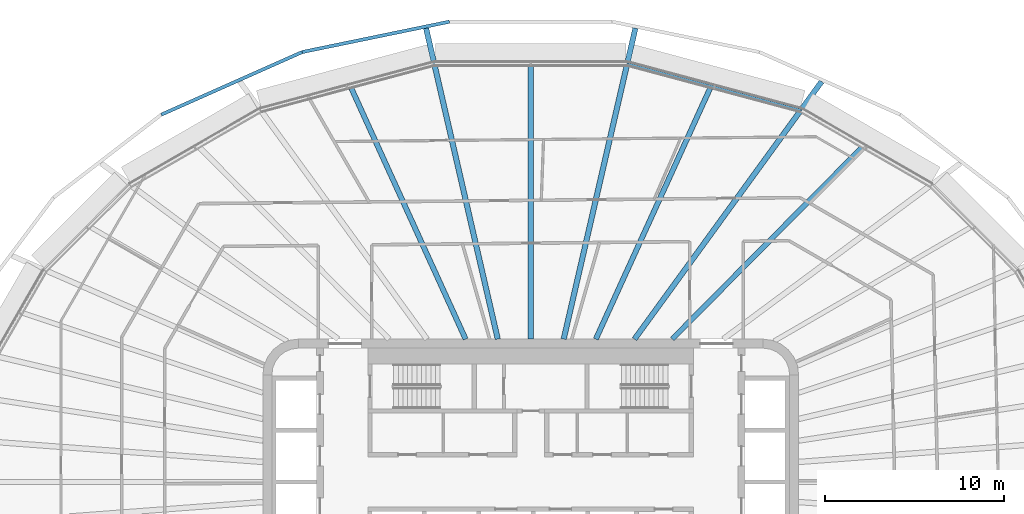
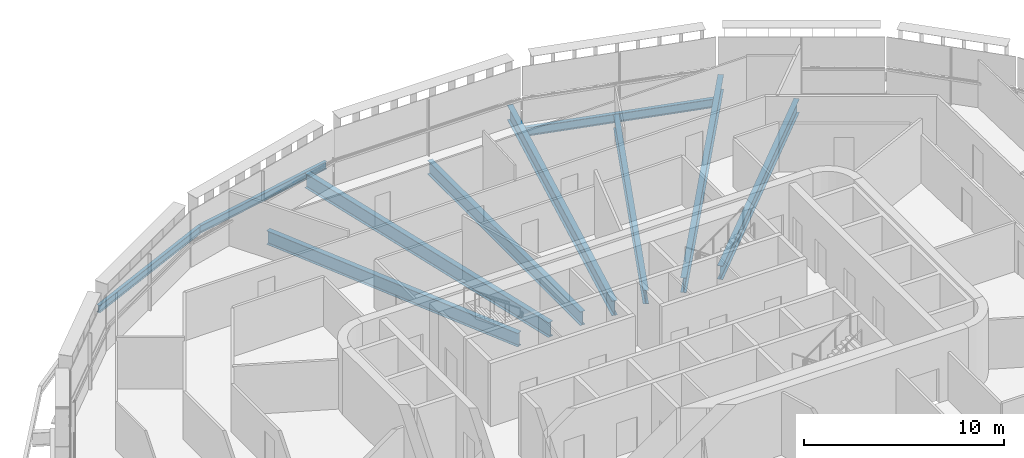
# One storey, part 6 of 23: 10 beams.
"""IFC4 building model written with IfcOpenShell, lengths in metres."""

from ifc_helpers import new_model, si_unit, direction, frame, origin, origin_2d, place, context, subcontext, project, spatial, i_section, extrude, material, material_profile, profile_set, type_object, element, save


model = new_model("IFC4")

# Units and contexts
model_context = context("Model", 3, precision=1e-05, world=origin(), true_north=direction((0.0, 1.0)))
body_context = subcontext(model_context, "Body", "Model", "MODEL_VIEW")
ifc_project = project(units=[si_unit("LENGTHUNIT", "METRE"), si_unit("AREAUNIT", "SQUARE_METRE"), si_unit("VOLUMEUNIT", "CUBIC_METRE"), si_unit("PLANEANGLEUNIT", "RADIAN"), si_unit("MASSUNIT", "GRAM", prefix="KILO")], contexts=[model_context])

# Site, building, storey
site_placement = place(None, origin())
site = spatial("IfcSite", under=ifc_project, at=site_placement, CompositionType="ELEMENT")
building_placement = place(site_placement, origin())
building = spatial("IfcBuilding", under=site, at=building_placement, Name="Sahrelin Media Tower", CompositionType="ELEMENT")
storey_placement = place(building_placement, frame((0.0, 0.0, 157.60009765625)))
storey = spatial("IfcBuildingStorey", under=building, at=storey_placement, Name="L32", CompositionType="ELEMENT", Elevation=157.60009765625)

# Beams
ifc_material = material(Name="Steel S355", Category="steel")
ifc_material_profile_1 = material_profile(ifc_material, i_section(OverallWidth=0.208740234375, OverallDepth=0.5283203125, WebThickness=0.009521484375, FlangeThickness=0.01318359375, FilletRadius=0.0126953125, at=origin_2d()), Name="UB 533x210x82")
ifc_profile_set_1 = profile_set([ifc_material_profile_1], Name="Steel S355")
beam_type_1 = type_object("IfcBeamType", Name="Edge beam EB6", PredefinedType="BEAM", material=ifc_profile_set_1)
beam_1_placement = place(storey_placement, frame((5.422607421875, 23.378662109375, -0.414306640625), z_axis=(0.965924398273, -0.258824374473, 0.0), x_axis=(0.258824374473, 0.965924398273, 0.0)))
element("IfcBeam", 1, at=beam_1_placement, inside=storey, type_object=beam_type_1, Name="Edge beam L32-20", PredefinedType="BEAM", context=body_context, shape_type="SweptSolid", body=[
    extrude(i_section(OverallWidth=0.208740234375, OverallDepth=0.5283203125, WebThickness=0.009521484375, FlangeThickness=0.01318359375, FilletRadius=0.0126953125, at=origin_2d()), origin(), (0.0, 0.0, 1.0), 10.0439453125),
])
ifc_material_profile_2 = material_profile(ifc_material, i_section(OverallWidth=0.30322265625, OverallDepth=0.903076171875, WebThickness=0.01513671875, FlangeThickness=0.020263671875, FilletRadius=0.01904296875, at=origin_2d()), Name="UB 914x305x201")
ifc_profile_set_2 = profile_set([ifc_material_profile_2], Name="Steel S355")
beam_type_2 = type_object("IfcBeamType", Name="Radial primary beam PB11", PredefinedType="BEAM", material=ifc_profile_set_2)
beam_2_placement = place(storey_placement, frame((5.8125, 8.0, -0.6015625), z_axis=(0.587799399778, 0.809006715436, 0.0), x_axis=(-0.809006715436, 0.587799399778, 0.0)))
element("IfcBeam", 2, at=beam_2_placement, inside=storey, type_object=beam_type_2, Name="Radial beam L32-05", PredefinedType="BEAM", context=body_context, shape_type="SweptSolid", body=[
    extrude(i_section(OverallWidth=0.30322265625, OverallDepth=0.903076171875, WebThickness=0.01513671875, FlangeThickness=0.020263671875, FilletRadius=0.01904296875, at=origin_2d()), origin(), (0.0, 0.0, 1.0), 17.822021484375),
])
for number, where, z_axis, x_axis, name in (
    (3, (1.845458984375, 8.0, -0.6015625), (0.224757698431, 0.974414684308, 0.0), (-0.974414684308, 0.224757698431, 0.0), "Radial beam L32-06"),
    (4, (-1.845458984375, 8.0, -0.6015625), (-0.224757698431, 0.974414684308, 0.0), (-0.974414684308, -0.224757698431, 0.0), "Radial beam L32-07"),
):
    element("IfcBeam", number, at=place(storey_placement, frame(where, z_axis=z_axis, x_axis=x_axis)), inside=storey, type_object=beam_type_2, Name=name, PredefinedType="BEAM", context=body_context, shape_type="SweptSolid", body=[
        extrude(i_section(OverallWidth=0.30322265625, OverallDepth=0.903076171875, WebThickness=0.01513671875, FlangeThickness=0.020263671875, FilletRadius=0.01904296875, at=origin_2d()), origin(), (0.0, 0.0, 1.0), 17.8642578125),
    ])
ifc_material_profile_3 = material_profile(ifc_material, i_section(OverallWidth=0.291748046875, OverallDepth=0.8349609375, WebThickness=0.013916015625, FlangeThickness=0.018798828125, FilletRadius=0.017822265625, at=origin_2d()), Name="UB 838x292x176")
ifc_profile_set_3 = profile_set([ifc_material_profile_3], Name="Steel S355")
beam_type_3 = type_object("IfcBeamType", Name="Radial secondary beam SB10", PredefinedType="BEAM", material=ifc_profile_set_3)
beam_3_placement = place(storey_placement, frame((7.921142578125, 8.0, -0.567626953125), z_axis=(0.703599162107, 0.710597086317, 0.0), x_axis=(-0.710597086317, 0.703599162107, 0.0)))
element("IfcBeam", 5, at=beam_3_placement, inside=storey, type_object=beam_type_3, Name="Secondary beam L32-04", PredefinedType="BEAM", context=body_context, shape_type="SweptSolid", body=[
    extrude(i_section(OverallWidth=0.291748046875, OverallDepth=0.8349609375, WebThickness=0.013916015625, FlangeThickness=0.018798828125, FilletRadius=0.017822265625, at=origin_2d()), origin(), (0.0, 0.0, 1.0), 15.071533203125),
])
beam_4_placement = place(storey_placement, frame((3.64501953125, 8.0, -0.567626953125), z_axis=(0.414613847662, 0.909997449077, 0.0), x_axis=(-0.909997449077, 0.414613847662, 0.0)))
element("IfcBeam", 6, at=beam_4_placement, inside=storey, type_object=beam_type_3, Name="Secondary beam L32-05", PredefinedType="BEAM", context=body_context, shape_type="SweptSolid", body=[
    extrude(i_section(OverallWidth=0.291748046875, OverallDepth=0.8349609375, WebThickness=0.013916015625, FlangeThickness=0.018798828125, FilletRadius=0.017822265625, at=origin_2d()), origin(), (0.0, 0.0, 1.0), 15.421630859375),
])
beam_5_placement = place(storey_placement, frame((0.0, 8.0, -0.567626953125), z_axis=(0.0, 1.0, 0.0), x_axis=(-1.0, 0.0, 0.0)))
element("IfcBeam", 7, at=beam_5_placement, inside=storey, type_object=beam_type_3, Name="Secondary beam L32-06", PredefinedType="BEAM", context=body_context, shape_type="SweptSolid", body=[
    extrude(i_section(OverallWidth=0.291748046875, OverallDepth=0.8349609375, WebThickness=0.013916015625, FlangeThickness=0.018798828125, FilletRadius=0.017822265625, at=origin_2d()), origin(), (0.0, 0.0, 1.0), 15.2685546875),
])
beam_6_placement = place(storey_placement, frame((-3.64501953125, 8.0, -0.567626953125), z_axis=(-0.414613847662, 0.909997449077, 0.0), x_axis=(-0.909997449077, -0.414613847662, 0.0)))
element("IfcBeam", 8, at=beam_6_placement, inside=storey, type_object=beam_type_3, Name="Secondary beam L32-07", PredefinedType="BEAM", context=body_context, shape_type="SweptSolid", body=[
    extrude(i_section(OverallWidth=0.291748046875, OverallDepth=0.8349609375, WebThickness=0.013916015625, FlangeThickness=0.018798828125, FilletRadius=0.017822265625, at=origin_2d()), origin(), (0.0, 0.0, 1.0), 15.421630859375),
])
ifc_material_profile_4 = material_profile(ifc_material, i_section(OverallWidth=0.1904296875, OverallDepth=0.45703125, WebThickness=0.009033203125, FlangeThickness=0.014404296875, FilletRadius=0.01025390625, at=origin_2d()), Name="UB 457x191x74")
ifc_profile_set_4 = profile_set([ifc_material_profile_4], Name="Steel S355")
beam_type_4 = type_object("IfcBeamType", Name="Tie chord TC5", PredefinedType="BEAM", material=ifc_profile_set_4)
beam_7_placement = place(storey_placement, frame((-4.555908203125, 25.7734375, -0.378662109375), z_axis=(-0.979385685737, -0.201999204388, 0.0), x_axis=(0.201999204388, -0.979385685737, 0.0)))
element("IfcBeam", 9, at=beam_7_placement, inside=storey, type_object=beam_type_4, Name="Tie chord L32-07", PredefinedType="BEAM", context=body_context, shape_type="SweptSolid", body=[
    extrude(i_section(OverallWidth=0.1904296875, OverallDepth=0.45703125, WebThickness=0.009033203125, FlangeThickness=0.014404296875, FilletRadius=0.01025390625, at=origin_2d()), origin(), (0.0, 0.0, 1.0), 8.414306640625),
])
beam_8_placement = place(storey_placement, frame((-12.796875, 24.07373046875, -0.378662109375), z_axis=(-0.913840692813, -0.406072885279, 0.0), x_axis=(0.406072885279, -0.913840692813, 0.0)))
element("IfcBeam", 10, at=beam_8_placement, inside=storey, type_object=beam_type_4, Name="Tie chord L32-08", PredefinedType="BEAM", context=body_context, shape_type="SweptSolid", body=[
    extrude(i_section(OverallWidth=0.1904296875, OverallDepth=0.45703125, WebThickness=0.009033203125, FlangeThickness=0.014404296875, FilletRadius=0.01025390625, at=origin_2d()), origin(), (0.0, 0.0, 1.0), 8.63525390625),
])

save(model, "model.ifc")
